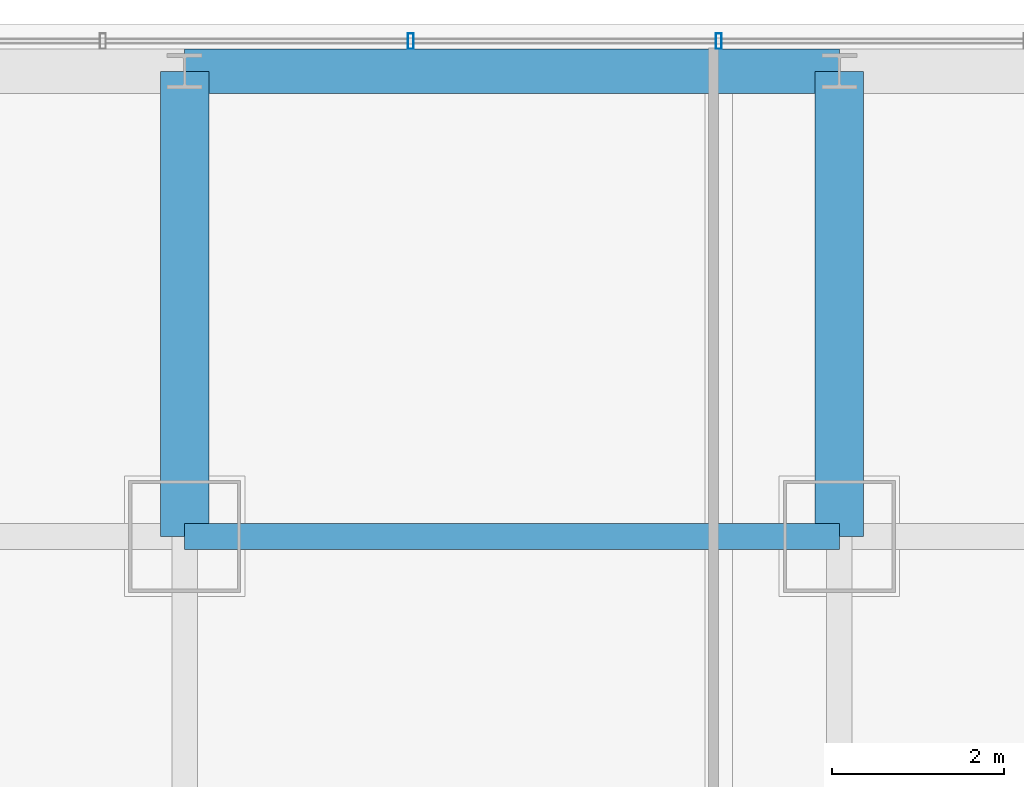
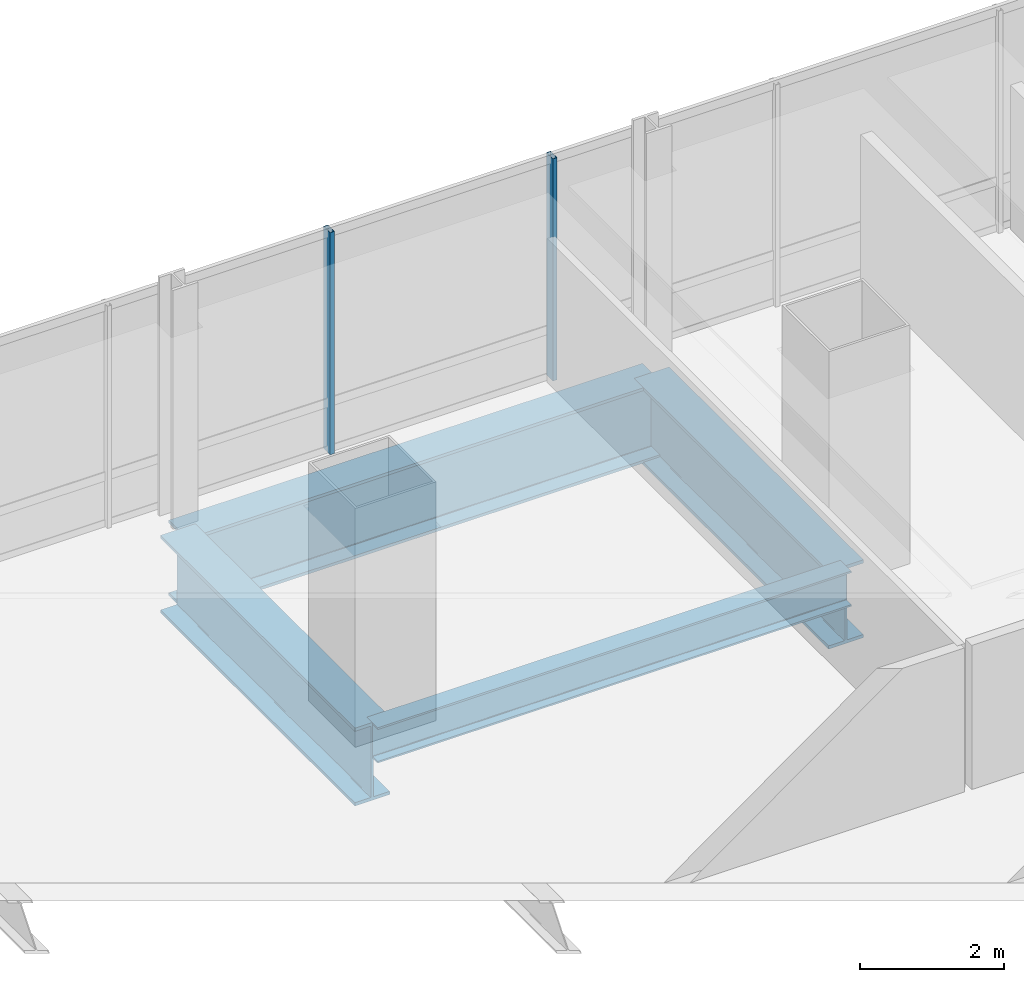
# One storey, part 26 of 51: 4 beams, 2 members, 1 element without a shape of its own.
"""IFC4 building model written with IfcOpenShell, lengths in metres."""

from ifc_helpers import new_model, si_unit, direction, frame, origin, origin_2d, place, context, subcontext, project, spatial, hollow_rectangle, i_section, extrude, material, material_profile, profile_set, type_object, element, aggregate, save


model = new_model("IFC4")

# Units and contexts
model_context = context("Model", 3, precision=1e-05, world=origin(), true_north=direction((0.0, 1.0)))
body_context = subcontext(model_context, "Body", "Model", "MODEL_VIEW")
ifc_project = project(units=[si_unit("LENGTHUNIT", "METRE"), si_unit("AREAUNIT", "SQUARE_METRE"), si_unit("VOLUMEUNIT", "CUBIC_METRE"), si_unit("PLANEANGLEUNIT", "RADIAN"), si_unit("MASSUNIT", "GRAM", prefix="KILO")], contexts=[model_context])

# Site, building, storey
site_placement = place(None, origin())
site = spatial("IfcSite", under=ifc_project, at=site_placement, CompositionType="ELEMENT")
building_placement = place(site_placement, origin())
building = spatial("IfcBuilding", under=site, at=building_placement, Name="Punatoya Terracotta Tower", CompositionType="ELEMENT")
storey_placement = place(building_placement, frame((0.0, 0.0, 279.75)))
storey = spatial("IfcBuildingStorey", under=building, at=storey_placement, Name="L66", CompositionType="ELEMENT", Elevation=279.75)

# Beams
ifc_material_1 = material(Name="Steel S355", Category="steel")
ifc_material_profile_1 = material_profile(ifc_material_1, i_section(OverallWidth=0.300048828125, OverallDepth=0.60009765625, WebThickness=0.015380859375, FlangeThickness=0.030029296875, FilletRadius=0.01806640625, at=origin_2d()))
ifc_profile_set_1 = profile_set([ifc_material_profile_1], Name="Steel S355")
beam_type_1 = type_object("IfcBeamType", Name="BM-PRI-600", PredefinedType="BEAM", material=ifc_profile_set_1)
beam_1_placement = place(storey_placement, frame((-3.800048828125, 17.5, -0.5), z_axis=(1.0, 0.0, 0.0), x_axis=(0.0, 1.0, 0.0)))
element("IfcBeam", 1, at=beam_1_placement, inside=storey, type_object=beam_type_1, Name="BM-L66-RG-N2", PredefinedType="BEAM", context=body_context, shape_type="SweptSolid", body=[
    extrude(i_section(OverallWidth=0.300048828125, OverallDepth=0.60009765625, WebThickness=0.015380859375, FlangeThickness=0.030029296875, FilletRadius=0.01806640625, at=origin_2d()), origin(), (0.0, 0.0, 1.0), 7.60009765625),
])
ifc_material_2 = material(Name="Steel S460", Category="steel")
ifc_material_profile_2 = material_profile(ifc_material_2, i_section(OverallWidth=0.56005859375, OverallDepth=1.320068359375, WebThickness=0.035888671875, FlangeThickness=0.054931640625, FilletRadius=0.01806640625, at=origin_2d()))
ifc_profile_set_2 = profile_set([ifc_material_profile_2], Name="Steel S460")
beam_type_2 = type_object("IfcBeamType", Name="BM-TG-BLK", PredefinedType="BEAM", material=ifc_profile_set_2)
for number, where, z_axis, x_axis, name in (
    (2, (-3.800048828125, 17.5, -0.860107421875), (0.0, 1.0, 0.0), (-1.0, 0.0, 0.0), "BM-L66-CANT-N2"),
    (3, (3.800048828125, 17.5, -0.860107421875), (0.0, 1.0, 0.0), (-1.0, 0.0, 0.0), "BM-L66-CANT-N3"),
):
    element("IfcBeam", number, at=place(storey_placement, frame(where, z_axis=z_axis, x_axis=x_axis)), inside=storey, type_object=beam_type_2, Name=name, PredefinedType="BEAM", context=body_context, shape_type="SweptSolid", body=[
        extrude(i_section(OverallWidth=0.56005859375, OverallDepth=1.320068359375, WebThickness=0.035888671875, FlangeThickness=0.054931640625, FilletRadius=0.01806640625, at=origin_2d()), origin(), (0.0, 0.0, 1.0), 5.39990234375),
    ])
ifc_material_profile_3 = material_profile(ifc_material_2, i_section(OverallWidth=0.52001953125, OverallDepth=1.280029296875, WebThickness=0.031982421875, FlangeThickness=0.050048828125, FilletRadius=0.01806640625, at=origin_2d()))
ifc_profile_set_3 = profile_set([ifc_material_profile_3], Name="Steel S460")
beam_type_3 = type_object("IfcBeamType", Name="BM-TG-NCK", PredefinedType="BEAM", material=ifc_profile_set_3)
beam_2_placement = place(storey_placement, frame((-3.800048828125, 22.89990234375, -0.840087890625), z_axis=(1.0, 0.0, 0.0), x_axis=(0.0, 1.0, 0.0)))
element("IfcBeam", 4, at=beam_2_placement, inside=storey, type_object=beam_type_3, Name="BM-L66-PER-N2", PredefinedType="BEAM", context=body_context, shape_type="SweptSolid", body=[
    extrude(i_section(OverallWidth=0.52001953125, OverallDepth=1.280029296875, WebThickness=0.031982421875, FlangeThickness=0.050048828125, FilletRadius=0.01806640625, at=origin_2d()), origin(), (0.0, 0.0, 1.0), 7.60009765625),
])

# Curtain wall, members
ifc_material_3 = material(Name="Aluminium 6063-T6 + Double Low-E Glass", Category="aluminium")
curtain_wall_type = type_object("IfcCurtainWallType", Name="CW-M3", PredefinedType="NOTDEFINED", material=ifc_material_3)
curtain_wall_placement = place(storey_placement, origin())
curtain_wall = element("IfcCurtainWall", 5, at=curtain_wall_placement, inside=storey, type_object=curtain_wall_type, Name="L66 Curtain Wall CW-L66-N09-1", PredefinedType="NOTDEFINED")
ifc_material_4 = material(Name="Aluminium 6063-T6", Category="aluminium")
ifc_material_profile_4 = material_profile(ifc_material_4, hollow_rectangle(XDim=0.070068359375, YDim=0.179931640625, WallThickness=0.00390625, at=origin_2d()))
ifc_profile_set_4 = profile_set([ifc_material_profile_4], Name="Aluminium 6063-T6")
member_type = type_object("IfcMemberType", Name="CW-MUL-M3", PredefinedType="MULLION", material=ifc_profile_set_4)
member_1_placement = place(storey_placement, frame((2.39990234375, 23.25, 0.0), z_axis=(0.0, 0.0, 1.0), x_axis=(1.0, 0.0, 0.0)))
member_1 = element("IfcMember", 6, at=member_1_placement, type_object=member_type, Name="CW-L66-N09-1 Mullion 04", PredefinedType="MULLION", context=body_context, shape_type="SweptSolid", body=[
    extrude(hollow_rectangle(XDim=0.070068359375, YDim=0.179931640625, WallThickness=0.00390625, at=origin_2d()), origin(), (0.0, 0.0, 1.0), 3.77001953125),
])
member_2_placement = place(storey_placement, frame((-1.175048828125, 23.25, 0.0), z_axis=(0.0, 0.0, 1.0), x_axis=(1.0, 0.0, 0.0)))
member_2 = element("IfcMember", 7, at=member_2_placement, type_object=member_type, Name="CW-L66-N09-1 Mullion 05", PredefinedType="MULLION", context=body_context, shape_type="SweptSolid", body=[
    extrude(hollow_rectangle(XDim=0.070068359375, YDim=0.179931640625, WallThickness=0.00390625, at=origin_2d()), origin(), (0.0, 0.0, 1.0), 3.77001953125),
])
aggregate(curtain_wall, [member_1, member_2])

save(model, "model.ifc")
